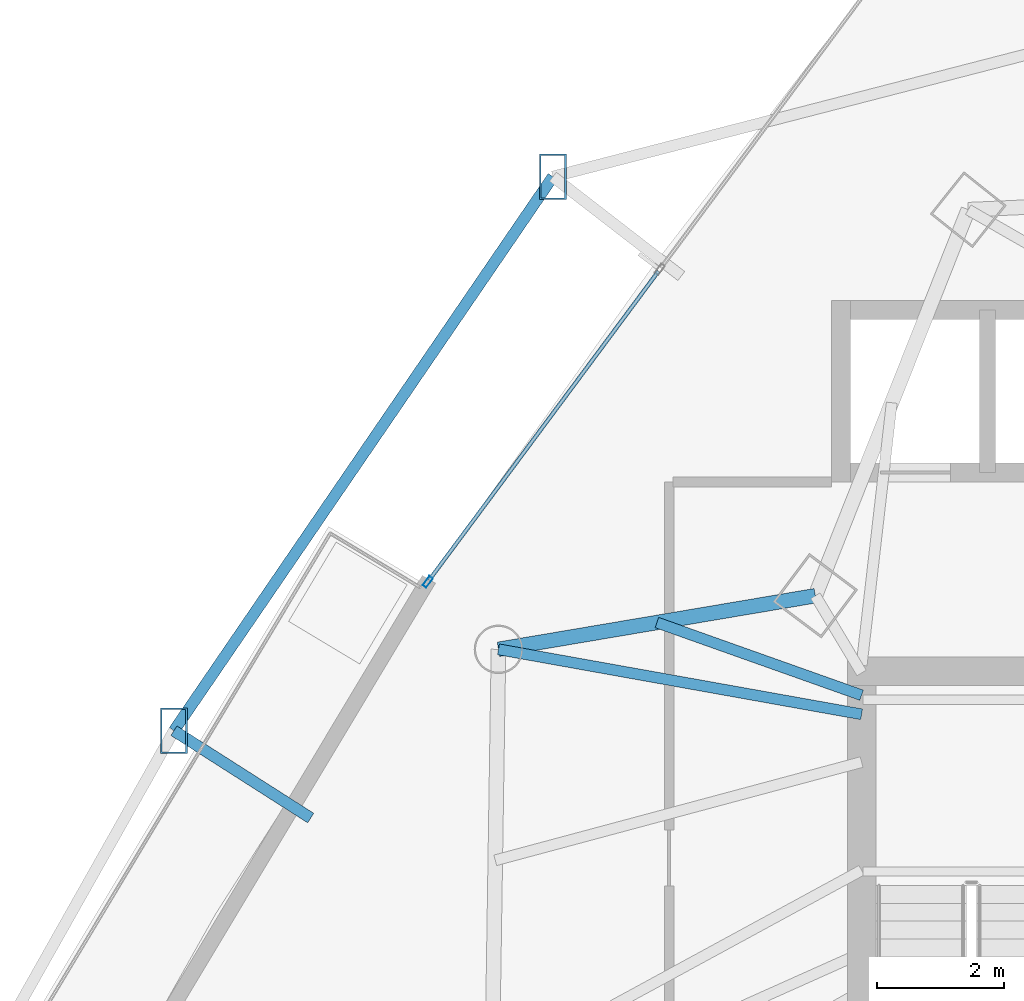
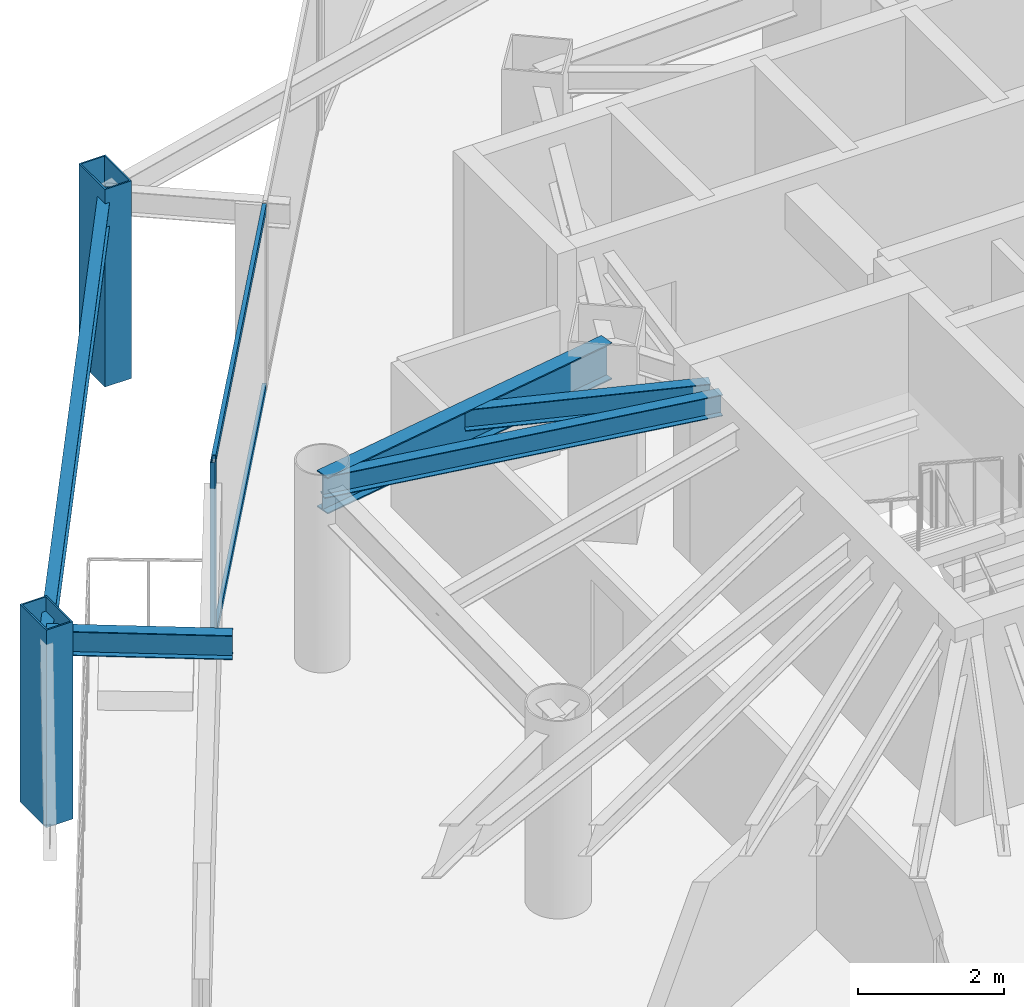
# One storey, part 20 of 34: 5 beams, 5 members, 1 element without a shape of its own.
"""IFC4 building model written with IfcOpenShell, lengths in metres."""

from ifc_helpers import new_model, si_unit, direction, frame, origin, origin_2d, place, context, subcontext, project, spatial, hollow_rectangle, i_section, extrude, material, layer, layer_set, material_profile, profile_set, type_object, element, aggregate, save


model = new_model("IFC4")

# Units and contexts
model_context = context("Model", 3, precision=1e-05, world=origin(), true_north=direction((0.0, 1.0)))
body_context = subcontext(model_context, "Body", "Model", "MODEL_VIEW")
ifc_project = project(units=[si_unit("LENGTHUNIT", "METRE"), si_unit("AREAUNIT", "SQUARE_METRE"), si_unit("VOLUMEUNIT", "CUBIC_METRE"), si_unit("PLANEANGLEUNIT", "RADIAN"), si_unit("MASSUNIT", "GRAM", prefix="KILO")], contexts=[model_context])

# Site, building, storey
site_placement = place(None, origin())
site = spatial("IfcSite", under=ifc_project, at=site_placement, CompositionType="ELEMENT")
building_placement = place(site_placement, origin())
building = spatial("IfcBuilding", under=site, at=building_placement, Name="Orvanel Arch Residences", CompositionType="ELEMENT")
storey_placement = place(building_placement, frame((0.0, 0.0, 74.14990234375)))
storey = spatial("IfcBuildingStorey", under=building, at=storey_placement, Name="L20", CompositionType="ELEMENT", Elevation=74.14990234375)

# Beams
ifc_material_1 = material(Name="Structural steel AS/NZS 3679.1 Grade 300 (300 MPa)", Category="steel")
ifc_material_profile_1 = material_profile(ifc_material_1, i_section(OverallWidth=0.1708984375, OverallDepth=0.35595703125, WebThickness=0.00732421875, FlangeThickness=0.011474609375, at=origin_2d()), Name="360UB50.7")
ifc_profile_set_1 = profile_set([ifc_material_profile_1], Name="Structural steel AS/NZS 3679.1 Grade 300 (300 MPa)")
beam_type_1 = type_object("IfcBeamType", Name="BJ-360UB", PredefinedType="JOIST", material=ifc_profile_set_1)
beam_1_placement = place(storey_placement, frame((26.375, 33.25, 2.882080078125), z_axis=(-0.984360855662, 0.176163860766, 0.0), x_axis=(-0.176163860766, -0.984360855662, 0.0)))
element("IfcBeam", 1, at=beam_1_placement, inside=storey, type_object=beam_type_1, Name="L20 LW Wing Floor Joist", PredefinedType="JOIST", context=body_context, shape_type="SweptSolid", body=[
    extrude(i_section(OverallWidth=0.1708984375, OverallDepth=0.35595703125, WebThickness=0.00732421875, FlangeThickness=0.011474609375, at=origin_2d()), origin(), (0.0, 0.0, 1.0), 5.795654296875),
])
beam_2_placement = place(storey_placement, frame((26.375, 33.550048828125, 2.882080078125), z_axis=(-0.942366638377, 0.334582006201, 0.0), x_axis=(-0.334582006201, -0.942366638377, 0.0)))
element("IfcBeam", 2, at=beam_2_placement, inside=storey, type_object=beam_type_1, Name="L20 JADD3 Wing Floor Joist", PredefinedType="JOIST", context=body_context, shape_type="SweptSolid", body=[
    extrude(i_section(OverallWidth=0.1708984375, OverallDepth=0.35595703125, WebThickness=0.00732421875, FlangeThickness=0.011474609375, at=origin_2d()), origin(), (0.0, 0.0, 1.0), 3.412841796875),
])

# Members
ifc_material_2 = material(Name="Structural steel AS/NZS 3678 Grade 350", Category="steel")
ifc_material_profile_2 = material_profile(ifc_material_2, hollow_rectangle(XDim=0.419921875, YDim=0.719970703125, WallThickness=0.02490234375, at=origin_2d()), Name="RHS720x420x25")
ifc_profile_set_2 = profile_set([ifc_material_profile_2], Name="Structural steel AS/NZS 3678 Grade 350")
member_type_1 = type_object("IfcMemberType", Name="CH-720RHS-EXT", PredefinedType="CHORD", material=ifc_profile_set_2)
for number, where, z_axis, x_axis, name in (
    (3, (21.52490234375, 41.696044921875, 0.0), (0.0, 0.0, 1.0), (1.0, 0.0, 0.0), "L20 Outer Perimeter Frame Post 01"),
    (4, (15.571044921875, 32.991943359375, 0.0), (0.0, 0.0, 1.0), (1.0, 0.0, 0.0), "L20 Outer Perimeter Frame Post 02"),
):
    element("IfcMember", number, at=place(storey_placement, frame(where, z_axis=z_axis, x_axis=x_axis)), inside=storey, type_object=member_type_1, Name=name, PredefinedType="CHORD", context=body_context, shape_type="SweptSolid", body=[
        extrude(hollow_rectangle(XDim=0.419921875, YDim=0.719970703125, WallThickness=0.02490234375, at=origin_2d()), origin(), (0.0, 0.0, 1.0), 3.300048828125),
    ])

# Curtain wall, member
ifc_material_3 = material(Name="Bronze-anodised aluminium AA6063-T6", Category="aluminium")
ifc_layer = layer(ifc_material_3, 0.179931640625)
ifc_layer_set = layer_set([ifc_layer], Name="Bronze-anodised aluminium AA6063-T6")
curtain_wall_type = type_object("IfcCurtainWallType", Name="CW2-LOW-SYS", PredefinedType="NOTDEFINED", material=ifc_layer_set)
curtain_wall_placement = place(storey_placement, origin())
curtain_wall = element("IfcCurtainWall", 5, at=curtain_wall_placement, inside=storey, type_object=curtain_wall_type, Name="L20 CW2-LOW-SYS Unitised Curtain Wall", PredefinedType="NOTDEFINED")
ifc_material_profile_3 = material_profile(ifc_material_3, hollow_rectangle(XDim=0.070068359375, YDim=0.179931640625, WallThickness=0.00439453125, at=origin_2d()), Name="ALU180x70x4.5")
ifc_profile_set_3 = profile_set([ifc_material_profile_3], Name="Bronze-anodised aluminium AA6063-T6")
member_type_2 = type_object("IfcMemberType", Name="MUL-180x70", PredefinedType="MULLION", material=ifc_profile_set_3)
member_1_placement = place(storey_placement, frame((19.558837890625, 35.330078125, 0.0), z_axis=(0.0, 0.0, 1.0), x_axis=(0.802859489606, -0.596168298343, 0.0)))
member_1 = element("IfcMember", 6, at=member_1_placement, type_object=member_type_2, Name="CW-S2 mullion 3", PredefinedType="MULLION", context=body_context, shape_type="SweptSolid", body=[
    extrude(hollow_rectangle(XDim=0.070068359375, YDim=0.179931640625, WallThickness=0.00439453125, at=origin_2d()), origin(), (0.0, 0.0, 1.0), 3.06005859375),
])

# Beams
ifc_material_profile_4 = material_profile(ifc_material_1, i_section(OverallWidth=0.177978515625, OverallDepth=0.406005859375, WebThickness=0.0078125, FlangeThickness=0.0126953125, at=origin_2d()), Name="410UB59.7")
ifc_profile_set_4 = profile_set([ifc_material_profile_4], Name="Structural steel AS/NZS 3679.1 Grade 300 (300 MPa)")
beam_type_2 = type_object("IfcBeamType", Name="OB-410UB-EXT", PredefinedType="SPANDREL", material=ifc_profile_set_4)
beam_3_placement = place(storey_placement, frame((21.52490234375, 41.696044921875, 2.857177734375), z_axis=(-0.564581828757, -0.825377100868, 0.0), x_axis=(0.825377100868, -0.564581828757, 0.0)))
element("IfcBeam", 7, at=beam_3_placement, inside=storey, type_object=beam_type_2, Name="L20 Outer Perimeter Floor Ring Beam 01", PredefinedType="SPANDREL", context=body_context, shape_type="SweptSolid", body=[
    extrude(i_section(OverallWidth=0.177978515625, OverallDepth=0.406005859375, WebThickness=0.0078125, FlangeThickness=0.0126953125, at=origin_2d()), origin(), (0.0, 0.0, 1.0), 10.545654296875),
])
beam_4_placement = place(storey_placement, frame((17.719970703125, 31.6201171875, 2.857177734375), z_axis=(-0.842891714891, 0.538083224946, 0.0), x_axis=(-0.538083224946, -0.842891714891, 0.0)))
element("IfcBeam", 8, at=beam_4_placement, inside=storey, type_object=beam_type_2, Name="L20 Outer Frame Radial Tie Beam 02", PredefinedType="SPANDREL", context=body_context, shape_type="SweptSolid", body=[
    extrude(i_section(OverallWidth=0.177978515625, OverallDepth=0.406005859375, WebThickness=0.0078125, FlangeThickness=0.0126953125, at=origin_2d()), origin(), (0.0, 0.0, 1.0), 2.549560546875),
])
ifc_material_profile_5 = material_profile(ifc_material_1, i_section(OverallWidth=0.22900390625, OverallDepth=0.612060546875, WebThickness=0.011962890625, FlangeThickness=0.01953125, at=origin_2d()), Name="610UB125")
ifc_profile_set_5 = profile_set([ifc_material_profile_5], Name="Structural steel AS/NZS 3679.1 Grade 300 (300 MPa)")
beam_type_3 = type_object("IfcBeamType", Name="SP-610UB", PredefinedType="SPANDREL", material=ifc_profile_set_5)
beam_5_placement = place(storey_placement, frame((25.64794921875, 35.113037109375, 2.754150390625), z_axis=(-0.985993733897, -0.166782363326, 0.0), x_axis=(0.166782363326, -0.985993733897, 0.0)))
element("IfcBeam", 9, at=beam_5_placement, inside=storey, type_object=beam_type_3, Name="L20 Perimeter Spandrel Beam 19", PredefinedType="SPANDREL", context=body_context, shape_type="SweptSolid", body=[
    extrude(i_section(OverallWidth=0.22900390625, OverallDepth=0.612060546875, WebThickness=0.011962890625, FlangeThickness=0.01953125, at=origin_2d()), origin(), (0.0, 0.0, 1.0), 5.048828125),
])

# Member
ifc_material_profile_6 = material_profile(ifc_material_3, hollow_rectangle(XDim=0.06005859375, YDim=0.135009765625, WallThickness=0.00390625, at=origin_2d()), Name="ALU135x60x4")
ifc_profile_set_6 = profile_set([ifc_material_profile_6], Name="Bronze-anodised aluminium AA6063-T6")
member_type_3 = type_object("IfcMemberType", Name="TRN-135x60", PredefinedType="USERDEFINED", material=ifc_profile_set_6)
member_2_placement = place(storey_placement, frame((23.18310546875, 40.2109375, 0.030029296875), z_axis=(-0.596147736106, -0.802874757814, 0.0), x_axis=(0.802874757814, -0.596147736106, 0.0)))
member_2 = element("IfcMember", 10, at=member_2_placement, type_object=member_type_3, Name="CW-S2 transom 2.1", ObjectType="TRANSOM", PredefinedType="USERDEFINED", context=body_context, shape_type="SweptSolid", body=[
    extrude(hollow_rectangle(XDim=0.06005859375, YDim=0.135009765625, WallThickness=0.00390625, at=origin_2d()), origin(), (0.0, 0.0, 1.0), 6.044189453125),
])

member_3_placement = place(storey_placement, frame((23.18310546875, 40.2109375, 3.030029296875), z_axis=(-0.596147736106, -0.802874757814, 0.0), x_axis=(0.802874757814, -0.596147736106, 0.0)))
member_3 = element("IfcMember", 11, at=member_3_placement, type_object=member_type_3, Name="CW-S2 transom 2.2", ObjectType="TRANSOM", PredefinedType="USERDEFINED", context=body_context, shape_type="SweptSolid", body=[
    extrude(hollow_rectangle(XDim=0.06005859375, YDim=0.135009765625, WallThickness=0.00390625, at=origin_2d()), origin(), (0.0, 0.0, 1.0), 6.044189453125),
])

aggregate(curtain_wall, [member_1, member_2, member_3])

save(model, "model.ifc")
